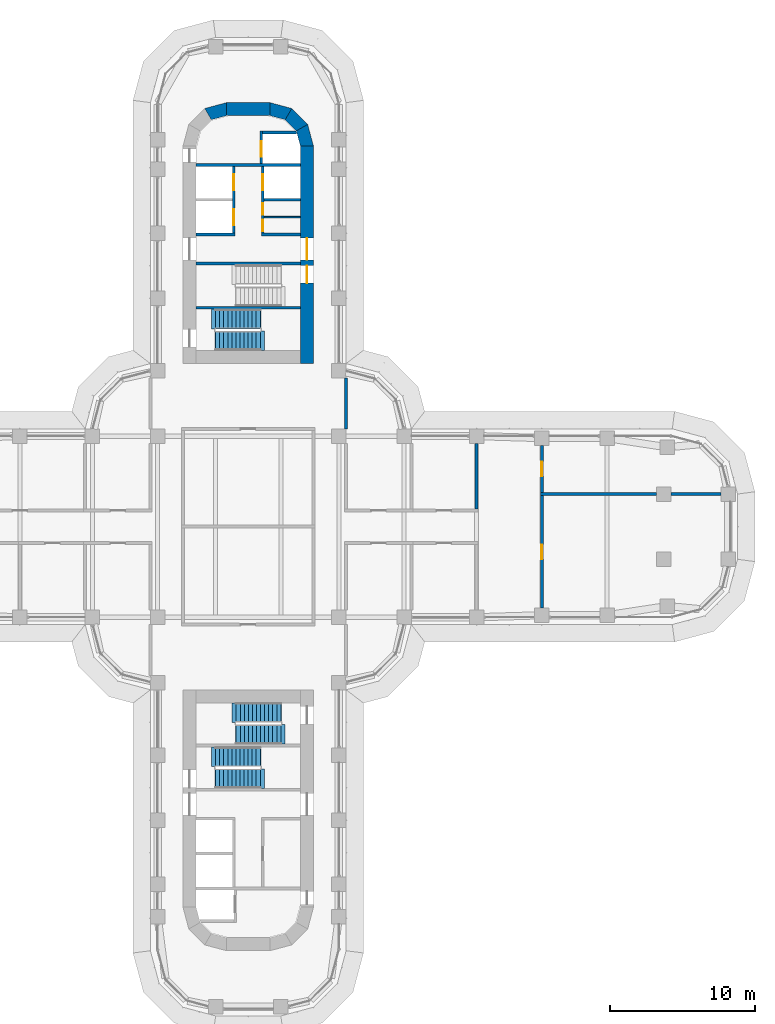
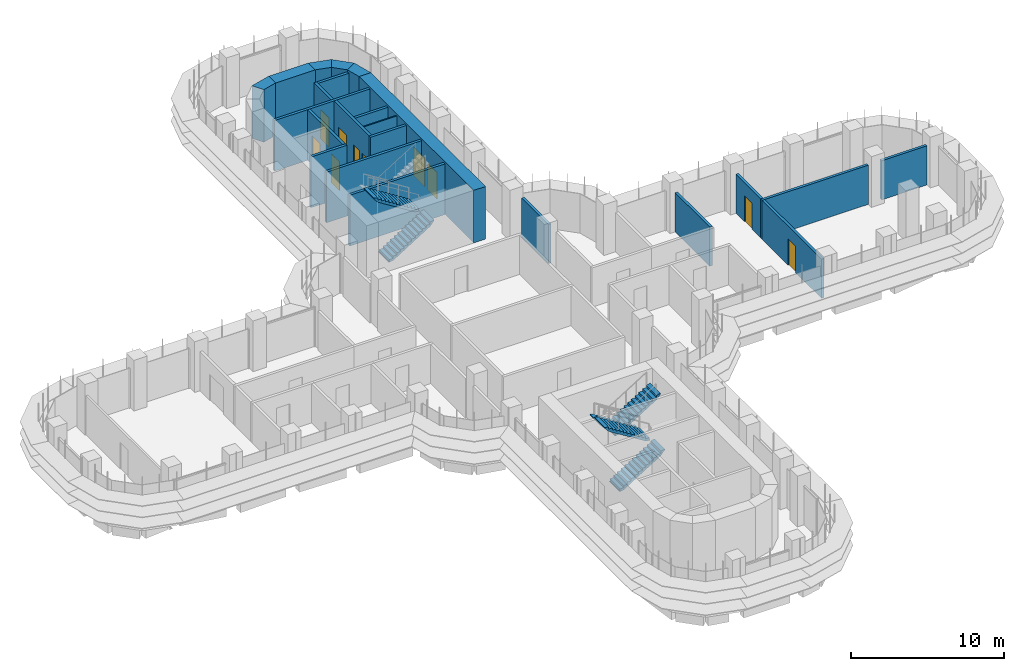
# One storey, part 18 of 23: 23 walls, 10 doors, 6 stair flights, 10 openings, 3 elements without a shape of their own.
"""IFC4 building model written with IfcOpenShell, lengths in metres."""

from ifc_helpers import new_model, si_unit, direction, frame, frame_2d, origin, place, context, subcontext, project, spatial, polyline, rectangle, outline, extrude, material, layer, layer_set, type_object, element, fill, aggregate, save


model = new_model("IFC4")

# Units and contexts
model_context = context("Model", 3, precision=1e-05, world=origin(), true_north=direction((0.0, 1.0)))
body_context = subcontext(model_context, "Body", "Model", "MODEL_VIEW")
ifc_project = project(units=[si_unit("LENGTHUNIT", "METRE"), si_unit("AREAUNIT", "SQUARE_METRE"), si_unit("VOLUMEUNIT", "CUBIC_METRE"), si_unit("PLANEANGLEUNIT", "RADIAN"), si_unit("MASSUNIT", "GRAM", prefix="KILO")], contexts=[model_context])

# Site, building, storey
site_placement = place(None, origin())
site = spatial("IfcSite", under=ifc_project, at=site_placement, CompositionType="ELEMENT")
building_placement = place(site_placement, origin())
building = spatial("IfcBuilding", under=site, at=building_placement, Name="Zarbagh Exchange Tower", CompositionType="ELEMENT")
storey_placement = place(building_placement, frame((0.0, 0.0, 52.199951171875)))
storey = spatial("IfcBuildingStorey", under=building, at=storey_placement, Name="L11", CompositionType="ELEMENT", Elevation=52.199951171875)

# Walls
ifc_material_1 = material(Name="Dense blockwork", Category="masonry")
ifc_layer_1 = layer(ifc_material_1, 0.10009765625)
ifc_layer_set_1 = layer_set([ifc_layer_1], Name="Core partition 100 mm blockwork")
wall_type_1 = type_object("IfcWallType", Name="Core partition 100 mm blockwork", PredefinedType="PARTITIONING", material=ifc_layer_set_1)
wall_1_placement = place(storey_placement, frame((1.10009765625, 21.35009765625, 0.0), z_axis=(0.0, 0.0, 1.0), x_axis=(1.0, 0.0, 0.0)))
element("IfcWall", 1, at=wall_1_placement, inside=storey, type_object=wall_type_1, Name="North core partition wall CUT-E-700", PredefinedType="PARTITIONING", context=body_context, shape_type="SweptSolid", body=[
    extrude(rectangle(XDim=2.5, YDim=0.10009765625, at=frame_2d((1.25, 0.0))), origin(), (0.0, 0.0, 1.0), 4.050048828125),
])
ifc_material_2 = material(Name="Fire-rated plasterboard partition")
ifc_layer_2 = layer(ifc_material_2, 0.199951171875)
ifc_layer_set_2 = layer_set([ifc_layer_2], Name="RATED PARTITION 200")
wall_type_2 = type_object("IfcWallType", Name="RATED PARTITION 200", PredefinedType="PARTITIONING", material=ifc_layer_set_2)
wall_2_placement = place(storey_placement, frame((6.75, 6.75, 0.0), z_axis=(0.0, 0.0, 1.0), x_axis=(0.0, 1.0, 0.0)))
element("IfcWall", 2, at=wall_2_placement, inside=storey, type_object=wall_type_2, Name="Partition W-310", PredefinedType="PARTITIONING", context=body_context, shape_type="SweptSolid", body=[
    extrude(rectangle(XDim=3.5, YDim=0.199951171875, at=frame_2d((1.75, 0.0))), origin(), (0.0, 0.0, 1.0), 3.130615234375),
])
wall_3_placement = place(storey_placement, frame((15.75, 1.22509765625, 0.0), z_axis=(0.0, 0.0, 1.0), x_axis=(0.0, 1.0, 0.0)))
element("IfcWall", 3, at=wall_3_placement, inside=storey, type_object=wall_type_2, Name="Partition W-322", PredefinedType="PARTITIONING", context=body_context, shape_type="SweptSolid", body=[
    extrude(rectangle(XDim=4.52490234375, YDim=0.199951171875, at=frame_2d((2.262451171875, 0.0))), origin(), (0.0, 0.0, 1.0), 3.130615234375),
])

# Wall, opening, door
wall_4_placement = place(storey_placement, frame((20.25, 2.14990234375, 0.0), z_axis=(0.0, 0.0, 1.0), x_axis=(0.0, -1.0, 0.0)))
wall_4 = element("IfcWall", 4, at=wall_4_placement, inside=storey, type_object=wall_type_2, Name="Partition W-324", PredefinedType="PARTITIONING", context=body_context, shape_type="SweptSolid", body=[
    extrude(rectangle(XDim=7.760009765625, YDim=0.199951171875, at=frame_2d((3.8798828125, 0.0))), origin(), (0.0, 0.0, 1.0), 3.130615234375),
])
opening_1_placement = place(wall_4_placement, frame((3.3798828125, 0.0, 0.0)))
opening_1 = element("IfcOpeningElement", 5, at=opening_1_placement, cuts=wall_4, Name="Opening D-307", PredefinedType="OPENING", context=body_context, shape_type="SweptSolid", body=[
    extrude(rectangle(XDim=1.0, YDim=2.10009765625, at=frame_2d((0.5, 1.050048828125))), frame((0.0, 0.10986328125, 0.0), z_axis=(0.0, -1.0, 0.0), x_axis=(1.0, 0.0, 0.0)), (0.0, 0.0, 1.0), 0.219970703125),
])
ifc_material_3 = material(Name="Steel door set", Category="steel")
door_type_1 = type_object("IfcDoorType", Name="FIRE DOOR 1000 X 2100 FD30S", OperationType="NOTDEFINED", PredefinedType="DOOR", material=ifc_material_3)
door_1_placement = place(opening_1_placement, origin())
door_1 = element("IfcDoor", 6, at=door_1_placement, inside=storey, type_object=door_type_1, Name="Door D-307", OperationType="SINGLE_SWING_RIGHT", OverallHeight=2.10009765625, OverallWidth=1.0, PredefinedType="DOOR", context=body_context, shape_type="SweptSolid", body=[
    extrude(rectangle(XDim=1.0, YDim=2.10009765625, at=frame_2d((0.5, 1.050048828125))), frame((0.0, 0.02490234375, 0.0), z_axis=(0.0, -1.0, 0.0), x_axis=(1.0, 0.0, 0.0)), (0.0, 0.0, 1.0), 0.050048828125),
])
fill(opening_1, door_1)

wall_5_placement = place(storey_placement, frame((20.25, 5.610107421875, 0.0), z_axis=(0.0, 0.0, 1.0), x_axis=(0.0, -1.0, 0.0)))
wall_5 = element("IfcWall", 7, at=wall_5_placement, inside=storey, type_object=wall_type_2, Name="Partition W-325", PredefinedType="PARTITIONING", context=body_context, shape_type="SweptSolid", body=[
    extrude(rectangle(XDim=3.260009765625, YDim=0.199951171875, at=frame_2d((1.6298828125, 0.0))), origin(), (0.0, 0.0, 1.0), 3.130615234375),
])
opening_2_placement = place(wall_5_placement, frame((1.1298828125, 0.0, 0.0)))
opening_2 = element("IfcOpeningElement", 8, at=opening_2_placement, cuts=wall_5, Name="Opening D-308", PredefinedType="OPENING", context=body_context, shape_type="SweptSolid", body=[
    extrude(rectangle(XDim=1.0, YDim=2.10009765625, at=frame_2d((0.5, 1.050048828125))), frame((0.0, 0.10986328125, 0.0), z_axis=(0.0, -1.0, 0.0), x_axis=(1.0, 0.0, 0.0)), (0.0, 0.0, 1.0), 0.219970703125),
])
door_2_placement = place(opening_2_placement, origin())
door_2 = element("IfcDoor", 9, at=door_2_placement, inside=storey, type_object=door_type_1, Name="Door D-308", OperationType="SINGLE_SWING_LEFT", OverallHeight=2.10009765625, OverallWidth=1.0, PredefinedType="DOOR", context=body_context, shape_type="SweptSolid", body=[
    extrude(rectangle(XDim=1.0, YDim=2.10009765625, at=frame_2d((0.5, 1.050048828125))), frame((0.0, 0.02490234375, 0.0), z_axis=(0.0, -1.0, 0.0), x_axis=(1.0, 0.0, 0.0)), (0.0, 0.0, 1.0), 0.050048828125),
])
fill(opening_2, door_2)

# Walls
wall_6_placement = place(storey_placement, frame((20.14990234375, 2.25, 0.0), z_axis=(0.0, 0.0, 1.0), x_axis=(1.0, 0.0, 0.0)))
element("IfcWall", 10, at=wall_6_placement, inside=storey, type_object=wall_type_2, Name="Partition W-326", PredefinedType="PARTITIONING", context=body_context, shape_type="SweptSolid", body=[
    extrude(rectangle(XDim=8.02001953125, YDim=0.199951171875, at=frame_2d((4.010009765625, 0.0))), origin(), (0.0, 0.0, 1.0), 3.130615234375),
])
wall_7_placement = place(storey_placement, frame((29.169921875, 2.25, 0.0), z_axis=(0.0, 0.0, 1.0), x_axis=(1.0, 0.0, 0.0)))
element("IfcWall", 11, at=wall_7_placement, inside=storey, type_object=wall_type_2, Name="Partition W-327", PredefinedType="PARTITIONING", context=body_context, shape_type="SweptSolid", body=[
    extrude(rectangle(XDim=3.440185546875, YDim=0.199951171875, at=frame_2d((1.72021484375, 0.0))), origin(), (0.0, 0.0, 1.0), 3.130615234375),
])
ifc_material_4 = material(Name="Concrete C60/75", Category="concrete")
ifc_layer_3 = layer(ifc_material_4, 0.89990234375)
ifc_layer_set_3 = layer_set([ifc_layer_3], Name="RC core corner wall 900 C60/75")
wall_type_3 = type_object("IfcWallType", Name="RC core corner wall 900 C60/75", PredefinedType="SHEAR", material=ifc_layer_set_3)
wall_8_placement = place(storey_placement, origin())
element("IfcWall", 12, at=wall_8_placement, inside=storey, type_object=wall_type_3, Name="CW2 core N corner W", PredefinedType="SHEAR", context=body_context, shape_type="SweptSolid", body=[
    extrude(outline(polyline([(-3.0, 28.84814453125), (-1.5, 29.25), (-1.5, 28.35009765625), (-2.550048828125, 28.068603515625), (-3.0, 28.84814453125)])), origin(), (0.0, 0.0, 1.0), 4.199951171875),
])
wall_9_placement = place(storey_placement, origin())
element("IfcWall", 13, at=wall_9_placement, inside=storey, type_object=wall_type_3, Name="CW2 core N corner E", PredefinedType="SHEAR", context=body_context, shape_type="SweptSolid", body=[
    extrude(outline(polyline([(4.5, 26.25), (4.09814453125, 27.75), (3.318603515625, 27.300048828125), (3.60009765625, 26.25), (4.5, 26.25)])), origin(), (0.0, 0.0, 1.0), 4.199951171875),
])
wall_10_placement = place(storey_placement, origin())
element("IfcWall", 14, at=wall_10_placement, inside=storey, type_object=wall_type_3, Name="CW2 core N corner E", PredefinedType="SHEAR", context=body_context, shape_type="SweptSolid", body=[
    extrude(outline(polyline([(4.09814453125, 27.75), (3.0, 28.84814453125), (2.550048828125, 28.068603515625), (3.318603515625, 27.300048828125), (4.09814453125, 27.75)])), origin(), (0.0, 0.0, 1.0), 4.199951171875),
])
wall_11_placement = place(storey_placement, origin())
element("IfcWall", 15, at=wall_11_placement, inside=storey, type_object=wall_type_3, Name="CW2 core N corner E", PredefinedType="SHEAR", context=body_context, shape_type="SweptSolid", body=[
    extrude(outline(polyline([(3.0, 28.84814453125), (1.5, 29.25), (1.5, 28.35009765625), (2.550048828125, 28.068603515625), (3.0, 28.84814453125)])), origin(), (0.0, 0.0, 1.0), 4.199951171875),
])

# Wall, openings, doors
ifc_layer_4 = layer(ifc_material_4, 0.89990234375)
ifc_layer_set_4 = layer_set([ifc_layer_4], Name="RC core wall 900 C60/75")
wall_type_4 = type_object("IfcWallType", Name="RC core wall 900 C60/75", PredefinedType="SHEAR", material=ifc_layer_set_4)
wall_12_placement = place(storey_placement, frame((4.050048828125, 11.25, 0.0), z_axis=(0.0, 0.0, 1.0), x_axis=(0.0, 1.0, 0.0)))
wall_12 = element("IfcWall", 16, at=wall_12_placement, inside=storey, type_object=wall_type_4, Name="CW1 core N E", PredefinedType="SHEAR", context=body_context, shape_type="SweptSolid", body=[
    extrude(rectangle(XDim=15.0, YDim=0.89990234375, at=frame_2d((7.5, 0.0))), origin(), (0.0, 0.0, 1.0), 4.199951171875),
])
opening_3_placement = place(wall_12_placement, frame((7.14990234375, 0.0, 0.0)))
opening_3 = element("IfcOpeningElement", 17, at=opening_3_placement, cuts=wall_12, Name="Opening CD1-1500", PredefinedType="OPENING", context=body_context, shape_type="SweptSolid", body=[
    extrude(rectangle(XDim=1.5, YDim=2.300048828125, at=frame_2d((0.75, 1.14990234375))), frame((0.0, 0.4599609375, 0.0), z_axis=(0.0, -1.0, 0.0), x_axis=(1.0, 0.0, 0.0)), (0.0, 0.0, 1.0), 0.919921875),
])
opening_4_placement = place(wall_12_placement, frame((5.550048828125, 0.0, 0.0)))
opening_4 = element("IfcOpeningElement", 18, at=opening_4_placement, cuts=wall_12, Name="Opening SD1-1200", PredefinedType="OPENING", context=body_context, shape_type="SweptSolid", body=[
    extrude(rectangle(XDim=1.199951171875, YDim=2.10009765625, at=frame_2d((0.60009765625, 1.050048828125))), frame((0.0, 0.4599609375, 0.0), z_axis=(0.0, -1.0, 0.0), x_axis=(1.0, 0.0, 0.0)), (0.0, 0.0, 1.0), 0.919921875),
])
ifc_material_5 = material(Name="Steel", Category="steel")
door_type_2 = type_object("IfcDoorType", Name="Exit stair door 1200 x 2100", OperationType="NOTDEFINED", PredefinedType="DOOR", material=ifc_material_5)
door_3_placement = place(opening_4_placement, origin())
door_3 = element("IfcDoor", 19, at=door_3_placement, inside=storey, type_object=door_type_2, Name="North core stair door ST1", OperationType="SINGLE_SWING_RIGHT", OverallHeight=2.10009765625, OverallWidth=1.199951171875, PredefinedType="DOOR", context=body_context, shape_type="SweptSolid", body=[
    extrude(rectangle(XDim=1.199951171875, YDim=2.10009765625, at=frame_2d((0.60009765625, 1.050048828125))), frame((0.0, 0.02490234375, 0.0), z_axis=(0.0, -1.0, 0.0), x_axis=(1.0, 0.0, 0.0)), (0.0, 0.0, 1.0), 0.050048828125),
])
fill(opening_4, door_3)
door_type_3 = type_object("IfcDoorType", Name="Lift lobby double door 1500 x 2300", OperationType="NOTDEFINED", PredefinedType="DOOR", material=ifc_material_5)
door_4_placement = place(opening_3_placement, origin())
door_4 = element("IfcDoor", 20, at=door_4_placement, inside=storey, type_object=door_type_3, Name="North core lift lobby door LOBBY-E", OperationType="DOUBLE_DOOR_SINGLE_SWING", OverallHeight=2.300048828125, OverallWidth=1.5, PredefinedType="DOOR", context=body_context, shape_type="SweptSolid", body=[
    extrude(rectangle(XDim=1.5, YDim=2.300048828125, at=frame_2d((0.75, 1.14990234375))), frame((0.0, 0.02490234375, 0.0), z_axis=(0.0, -1.0, 0.0), x_axis=(1.0, 0.0, 0.0)), (0.0, 0.0, 1.0), 0.050048828125),
])
fill(opening_3, door_4)

# Walls
wall_13_placement = place(storey_placement, frame((-1.5, 28.800048828125, 0.0), z_axis=(0.0, 0.0, 1.0), x_axis=(1.0, 0.0, 0.0)))
element("IfcWall", 21, at=wall_13_placement, inside=storey, type_object=wall_type_4, Name="CW1 core N outer end", PredefinedType="SHEAR", context=body_context, shape_type="SweptSolid", body=[
    extrude(rectangle(XDim=3.0, YDim=0.89990234375, at=frame_2d((1.5, 0.0))), origin(), (0.0, 0.0, 1.0), 4.199951171875),
])
ifc_layer_5 = layer(ifc_material_1, 0.199951171875)
ifc_layer_set_5 = layer_set([ifc_layer_5], Name="Shaft wall 200 mm blockwork")
wall_type_5 = type_object("IfcWallType", Name="Shaft wall 200 mm blockwork", PredefinedType="PARTITIONING", material=ifc_layer_set_5)
wall_14_placement = place(storey_placement, frame((-3.60009765625, 20.14990234375, 0.0), z_axis=(0.0, 0.0, 1.0), x_axis=(1.0, 0.0, 0.0)))
element("IfcWall", 22, at=wall_14_placement, inside=storey, type_object=wall_type_5, Name="North core shaft wall AB-W", PredefinedType="PARTITIONING", context=body_context, shape_type="SweptSolid", body=[
    extrude(rectangle(XDim=2.7001953125, YDim=0.199951171875, at=frame_2d((1.35009765625, 0.0))), origin(), (0.0, 0.0, 1.0), 4.050048828125),
])

# Wall, openings, doors
wall_15_placement = place(storey_placement, frame((-1.0, 24.85009765625, 0.0), z_axis=(0.0, 0.0, 1.0), x_axis=(0.0, -1.0, 0.0)))
wall_15 = element("IfcWall", 23, at=wall_15_placement, inside=storey, type_object=wall_type_5, Name="North core shaft wall LW-W", PredefinedType="PARTITIONING", context=body_context, shape_type="SweptSolid", body=[
    extrude(rectangle(XDim=4.60009765625, YDim=0.199951171875, at=frame_2d((2.300048828125, 0.0))), origin(), (0.0, 0.0, 1.0), 4.050048828125),
])
opening_5_placement = place(wall_15_placement, frame((0.550048828125, 0.0, 0.0)))
opening_5 = element("IfcOpeningElement", 24, at=opening_5_placement, cuts=wall_15, Name="Opening LD-1100", PredefinedType="OPENING", context=body_context, shape_type="SweptSolid", body=[
    extrude(rectangle(XDim=1.10009765625, YDim=2.300048828125, at=frame_2d((0.550048828125, 1.14990234375))), frame((0.0, 0.10986328125, 0.0), z_axis=(0.0, -1.0, 0.0), x_axis=(1.0, 0.0, 0.0)), (0.0, 0.0, 1.0), 0.219970703125),
])
opening_6_placement = place(wall_15_placement, frame((2.949951171875, 0.0, 0.0)))
opening_6 = element("IfcOpeningElement", 25, at=opening_6_placement, cuts=wall_15, Name="Opening LD-1100", PredefinedType="OPENING", context=body_context, shape_type="SweptSolid", body=[
    extrude(rectangle(XDim=1.10009765625, YDim=2.300048828125, at=frame_2d((0.550048828125, 1.14990234375))), frame((0.0, 0.10986328125, 0.0), z_axis=(0.0, -1.0, 0.0), x_axis=(1.0, 0.0, 0.0)), (0.0, 0.0, 1.0), 0.219970703125),
])
ifc_material_6 = material(Name="Stainless steel", Category="steel")
door_type_4 = type_object("IfcDoorType", Name="Lift landing door 1100 x 2300", OperationType="NOTDEFINED", PredefinedType="DOOR", material=ifc_material_6)
door_5_placement = place(opening_5_placement, origin())
door_5 = element("IfcDoor", 26, at=door_5_placement, inside=storey, type_object=door_type_4, Name="North core lift landing door LD-P-N1", OperationType="DOUBLE_DOOR_SLIDING", OverallHeight=2.300048828125, OverallWidth=1.10009765625, PredefinedType="DOOR", context=body_context, shape_type="SweptSolid", body=[
    extrude(rectangle(XDim=1.10009765625, YDim=2.300048828125, at=frame_2d((0.550048828125, 1.14990234375))), frame((0.0, 0.02490234375, 0.0), z_axis=(0.0, -1.0, 0.0), x_axis=(1.0, 0.0, 0.0)), (0.0, 0.0, 1.0), 0.050048828125),
])
fill(opening_5, door_5)
door_6_placement = place(opening_6_placement, origin())
door_6 = element("IfcDoor", 27, at=door_6_placement, inside=storey, type_object=door_type_4, Name="North core lift landing door LD-P-N2", OperationType="DOUBLE_DOOR_SLIDING", OverallHeight=2.300048828125, OverallWidth=1.10009765625, PredefinedType="DOOR", context=body_context, shape_type="SweptSolid", body=[
    extrude(rectangle(XDim=1.10009765625, YDim=2.300048828125, at=frame_2d((0.550048828125, 1.14990234375))), frame((0.0, 0.02490234375, 0.0), z_axis=(0.0, -1.0, 0.0), x_axis=(1.0, 0.0, 0.0)), (0.0, 0.0, 1.0), 0.050048828125),
])
fill(opening_6, door_6)

# Wall
wall_16_placement = place(storey_placement, frame((0.89990234375, 20.14990234375, 0.0), z_axis=(0.0, 0.0, 1.0), x_axis=(1.0, 0.0, 0.0)))
element("IfcWall", 28, at=wall_16_placement, inside=storey, type_object=wall_type_5, Name="North core shaft wall AB-E", PredefinedType="PARTITIONING", context=body_context, shape_type="SweptSolid", body=[
    extrude(rectangle(XDim=2.7001953125, YDim=0.199951171875, at=frame_2d((1.35009765625, 0.0))), origin(), (0.0, 0.0, 1.0), 4.050048828125),
])

# Wall, openings, doors
wall_17_placement = place(storey_placement, frame((1.0, 24.85009765625, 0.0), z_axis=(0.0, 0.0, 1.0), x_axis=(0.0, -1.0, 0.0)))
wall_17 = element("IfcWall", 29, at=wall_17_placement, inside=storey, type_object=wall_type_5, Name="North core shaft wall LW-E", PredefinedType="PARTITIONING", context=body_context, shape_type="SweptSolid", body=[
    extrude(rectangle(XDim=4.60009765625, YDim=0.199951171875, at=frame_2d((2.300048828125, 0.0))), origin(), (0.0, 0.0, 1.0), 4.050048828125),
])
opening_7_placement = place(wall_17_placement, frame((0.550048828125, 0.0, 0.0)))
opening_7 = element("IfcOpeningElement", 30, at=opening_7_placement, cuts=wall_17, Name="Opening LD-1100", PredefinedType="OPENING", context=body_context, shape_type="SweptSolid", body=[
    extrude(rectangle(XDim=1.10009765625, YDim=2.300048828125, at=frame_2d((0.550048828125, 1.14990234375))), frame((0.0, 0.10986328125, 0.0), z_axis=(0.0, -1.0, 0.0), x_axis=(1.0, 0.0, 0.0)), (0.0, 0.0, 1.0), 0.219970703125),
])
opening_8_placement = place(wall_17_placement, frame((2.52490234375, 0.0, 0.0)))
opening_8 = element("IfcOpeningElement", 31, at=opening_8_placement, cuts=wall_17, Name="Opening CD3-800", PredefinedType="OPENING", context=body_context, shape_type="SweptSolid", body=[
    extrude(rectangle(XDim=0.800048828125, YDim=2.10009765625, at=frame_2d((0.39990234375, 1.050048828125))), frame((0.0, 0.10986328125, 0.0), z_axis=(0.0, -1.0, 0.0), x_axis=(1.0, 0.0, 0.0)), (0.0, 0.0, 1.0), 0.219970703125),
])
opening_9_placement = place(wall_17_placement, frame((3.675048828125, 0.0, 0.0)))
opening_9 = element("IfcOpeningElement", 32, at=opening_9_placement, cuts=wall_17, Name="Opening CD3-800", PredefinedType="OPENING", context=body_context, shape_type="SweptSolid", body=[
    extrude(rectangle(XDim=0.800048828125, YDim=2.10009765625, at=frame_2d((0.39990234375, 1.050048828125))), frame((0.0, 0.10986328125, 0.0), z_axis=(0.0, -1.0, 0.0), x_axis=(1.0, 0.0, 0.0)), (0.0, 0.0, 1.0), 0.219970703125),
])
door_type_5 = type_object("IfcDoorType", Name="Core room door 800 x 2100", OperationType="NOTDEFINED", PredefinedType="DOOR", material=ifc_material_5)
door_7_placement = place(opening_8_placement, origin())
door_7 = element("IfcDoor", 33, at=door_7_placement, inside=storey, type_object=door_type_5, Name="North core Store door RD-E-0", OperationType="SINGLE_SWING_LEFT", OverallHeight=2.10009765625, OverallWidth=0.800048828125, PredefinedType="DOOR", context=body_context, shape_type="SweptSolid", body=[
    extrude(rectangle(XDim=0.800048828125, YDim=2.10009765625, at=frame_2d((0.39990234375, 1.050048828125))), frame((0.0, 0.02490234375, 0.0), z_axis=(0.0, -1.0, 0.0), x_axis=(1.0, 0.0, 0.0)), (0.0, 0.0, 1.0), 0.050048828125),
])
fill(opening_8, door_7)
door_8_placement = place(opening_9_placement, origin())
door_8 = element("IfcDoor", 34, at=door_8_placement, inside=storey, type_object=door_type_5, Name="North core IT room door RD-E-1", OperationType="SINGLE_SWING_LEFT", OverallHeight=2.10009765625, OverallWidth=0.800048828125, PredefinedType="DOOR", context=body_context, shape_type="SweptSolid", body=[
    extrude(rectangle(XDim=0.800048828125, YDim=2.10009765625, at=frame_2d((0.39990234375, 1.050048828125))), frame((0.0, 0.02490234375, 0.0), z_axis=(0.0, -1.0, 0.0), x_axis=(1.0, 0.0, 0.0)), (0.0, 0.0, 1.0), 0.050048828125),
])
fill(opening_9, door_8)
door_9_placement = place(opening_7_placement, origin())
door_9 = element("IfcDoor", 35, at=door_9_placement, inside=storey, type_object=door_type_4, Name="North core lift landing door LD-P-N3", OperationType="DOUBLE_DOOR_SLIDING", OverallHeight=2.300048828125, OverallWidth=1.10009765625, PredefinedType="DOOR", context=body_context, shape_type="SweptSolid", body=[
    extrude(rectangle(XDim=1.10009765625, YDim=2.300048828125, at=frame_2d((0.550048828125, 1.14990234375))), frame((0.0, 0.02490234375, 0.0), z_axis=(0.0, -1.0, 0.0), x_axis=(1.0, 0.0, 0.0)), (0.0, 0.0, 1.0), 0.050048828125),
])
fill(opening_7, door_9)

# Walls
wall_18_placement = place(storey_placement, frame((1.10009765625, 22.550048828125, 0.0), z_axis=(0.0, 0.0, 1.0), x_axis=(1.0, 0.0, 0.0)))
element("IfcWall", 36, at=wall_18_placement, inside=storey, type_object=wall_type_5, Name="North core shaft wall TR-E", PredefinedType="PARTITIONING", context=body_context, shape_type="SweptSolid", body=[
    extrude(rectangle(XDim=2.5, YDim=0.199951171875, at=frame_2d((1.25, 0.0))), origin(), (0.0, 0.0, 1.0), 4.050048828125),
])
ifc_material_7 = material(Name="Concrete C40/50", Category="concrete")
ifc_layer_6 = layer(ifc_material_7, 0.199951171875)
ifc_layer_set_6 = layer_set([ifc_layer_6], Name="Stair enclosure wall 200 mm RC C40/50")
wall_type_6 = type_object("IfcWallType", Name="Stair enclosure wall 200 mm RC C40/50", PredefinedType="SHEAR", material=ifc_layer_set_6)
wall_19_placement = place(storey_placement, frame((-3.60009765625, 24.949951171875, 0.0), z_axis=(0.0, 0.0, 1.0), x_axis=(1.0, 0.0, 0.0)))
element("IfcWall", 37, at=wall_19_placement, inside=storey, type_object=wall_type_6, Name="North core lift shaft wall FFA", PredefinedType="SHEAR", context=body_context, shape_type="SweptSolid", body=[
    extrude(rectangle(XDim=7.2001953125, YDim=0.199951171875, at=frame_2d((3.60009765625, 0.0))), origin(), (0.0, 0.0, 1.0), 4.050048828125),
])

# Wall, opening, door
wall_20_placement = place(storey_placement, frame((0.89990234375, 27.300048828125, 0.0), z_axis=(0.0, 0.0, 1.0), x_axis=(0.0, -1.0, 0.0)))
wall_20 = element("IfcWall", 38, at=wall_20_placement, inside=storey, type_object=wall_type_6, Name="North core lift shaft wall FFL", PredefinedType="SHEAR", context=body_context, shape_type="SweptSolid", body=[
    extrude(rectangle(XDim=2.25, YDim=0.199951171875, at=frame_2d((1.125, 0.0))), origin(), (0.0, 0.0, 1.0), 4.050048828125),
])
opening_10_placement = place(wall_20_placement, frame((0.699951171875, 0.0, 0.0)))
opening_10 = element("IfcOpeningElement", 39, at=opening_10_placement, cuts=wall_20, Name="Opening LD-1100", PredefinedType="OPENING", context=body_context, shape_type="SweptSolid", body=[
    extrude(rectangle(XDim=1.10009765625, YDim=2.300048828125, at=frame_2d((0.550048828125, 1.14990234375))), frame((0.0, 0.10986328125, 0.0), z_axis=(0.0, -1.0, 0.0), x_axis=(1.0, 0.0, 0.0)), (0.0, 0.0, 1.0), 0.219970703125),
])
door_10_placement = place(opening_10_placement, origin())
door_10 = element("IfcDoor", 40, at=door_10_placement, inside=storey, type_object=door_type_4, Name="North core lift landing door LD-F", OperationType="DOUBLE_DOOR_SLIDING", OverallHeight=2.300048828125, OverallWidth=1.10009765625, PredefinedType="DOOR", context=body_context, shape_type="SweptSolid", body=[
    extrude(rectangle(XDim=1.10009765625, YDim=2.300048828125, at=frame_2d((0.550048828125, 1.14990234375))), frame((0.0, 0.02490234375, 0.0), z_axis=(0.0, -1.0, 0.0), x_axis=(1.0, 0.0, 0.0)), (0.0, 0.0, 1.0), 0.050048828125),
])
fill(opening_10, door_10)

# Walls
wall_21_placement = place(storey_placement, origin())
element("IfcWall", 41, at=wall_21_placement, inside=storey, type_object=wall_type_6, Name="North core lift shaft wall FFX", PredefinedType="SHEAR", context=body_context, shape_type="SweptSolid", body=[
    extrude(outline(polyline([(1.0, 27.10009765625), (3.340576171875, 27.10009765625), (3.291259765625, 27.2841796875), (3.275390625, 27.300048828125), (1.0, 27.300048828125), (1.0, 27.10009765625)])), origin(), (0.0, 0.0, 1.0), 4.050048828125),
])
for number, where, z_axis, x_axis, name in (
    (42, (-3.60009765625, 18.14990234375, 0.0), (0.0, 0.0, 1.0), (1.0, 0.0, 0.0), "North core stair wall BS"),
    (43, (-3.60009765625, 15.10009765625, 0.0), (0.0, 0.0, 1.0), (1.0, 0.0, 0.0), "North core stair wall ST12"),
):
    element("IfcWall", number, at=place(storey_placement, frame(where, z_axis=z_axis, x_axis=x_axis)), inside=storey, type_object=wall_type_6, Name=name, PredefinedType="SHEAR", context=body_context, shape_type="SweptSolid", body=[
        extrude(rectangle(XDim=7.2001953125, YDim=0.199951171875, at=frame_2d((3.60009765625, 0.0))), origin(), (0.0, 0.0, 1.0), 4.050048828125),
    ])

# Stair, stair flights
stair_type = type_object("IfcStairType", Name="Exit stair two-flight half-turn", PredefinedType="HALF_TURN_STAIR", material=ifc_material_7)
stair_1_placement = place(storey_placement, origin())
stair_1 = element("IfcStair", 44, at=stair_1_placement, inside=storey, type_object=stair_type, Name="exit stair ST2", PredefinedType="HALF_TURN_STAIR")
stair_flight_type = type_object("IfcStairFlightType", Name="Stair flight 1350 mm", PredefinedType="STRAIGHT", material=ifc_material_7)
stair_flight_1_placement = place(storey_placement, frame((-2.25, 12.824951171875, 0.0), z_axis=(0.0, 0.0, 1.0), x_axis=(1.0, 0.0, 0.0)))
stair_flight_1 = element("IfcStairFlight", 45, at=stair_flight_1_placement, type_object=stair_flight_type, Name="ST2 flight 1", NumberOfRisers=12, NumberOfTreads=11, PredefinedType="STRAIGHT", RiserHeight=0.175, TreadLength=0.28, context=body_context, shape_type="SweptSolid", body=[
    extrude(outline(polyline([(-0.050048828125, -0.050048828125), (-0.050048828125, 0.0), (0.0, 0.0), (0.0, 0.175048828125), (0.280029296875, 0.175048828125), (0.280029296875, 0.35009765625), (0.56005859375, 0.35009765625), (0.56005859375, 0.52490234375), (0.840087890625, 0.52490234375), (0.840087890625, 0.699951171875), (1.1201171875, 0.699951171875), (1.1201171875, 0.875), (1.39990234375, 0.875), (1.39990234375, 1.050048828125), (1.679931640625, 1.050048828125), (1.679931640625, 1.22509765625), (1.9599609375, 1.22509765625), (1.9599609375, 1.39990234375), (2.239990234375, 1.39990234375), (2.239990234375, 1.574951171875), (2.52001953125, 1.574951171875), (2.52001953125, 1.75), (2.800048828125, 1.75), (2.800048828125, 1.925048828125), (3.080078125, 1.925048828125), (3.080078125, 2.10009765625), (3.3798828125, 2.179931640625), (3.3798828125, 2.10009765625), (3.080078125, 1.748291015625), (0.28271484375, 0.0), (-0.050048828125, -0.050048828125)])), frame((0.0, 0.675048828125, 0.0), z_axis=(0.0, -1.0, 0.0), x_axis=(1.0, 0.0, 0.0)), (0.0, 0.0, 1.0), 1.35009765625),
])
stair_flight_2_placement = place(storey_placement, frame((0.830078125, 14.324951171875, 2.10009765625), z_axis=(0.0, 0.0, 1.0), x_axis=(-1.0, 0.0, 0.0)))
stair_flight_2 = element("IfcStairFlight", 46, at=stair_flight_2_placement, type_object=stair_flight_type, Name="ST2 flight 2", NumberOfRisers=12, NumberOfTreads=11, PredefinedType="STRAIGHT", RiserHeight=0.175, TreadLength=0.28, context=body_context, shape_type="SweptSolid", body=[
    extrude(outline(polyline([(-0.050048828125, -0.050048828125), (-0.050048828125, 0.0), (0.0, 0.0), (0.0, 0.175048828125), (0.280029296875, 0.175048828125), (0.280029296875, 0.35009765625), (0.56005859375, 0.35009765625), (0.56005859375, 0.52490234375), (0.840087890625, 0.52490234375), (0.840087890625, 0.699951171875), (1.1201171875, 0.699951171875), (1.1201171875, 0.875), (1.39990234375, 0.875), (1.39990234375, 1.050048828125), (1.679931640625, 1.050048828125), (1.679931640625, 1.22509765625), (1.9599609375, 1.22509765625), (1.9599609375, 1.39990234375), (2.239990234375, 1.39990234375), (2.239990234375, 1.574951171875), (2.52001953125, 1.574951171875), (2.52001953125, 1.75), (2.800048828125, 1.75), (2.800048828125, 1.925048828125), (3.080078125, 1.925048828125), (3.080078125, 2.10009765625), (3.3798828125, 2.179931640625), (3.3798828125, 2.10009765625), (3.080078125, 1.748291015625), (0.28271484375, 0.0), (-0.050048828125, -0.050048828125)])), frame((0.0, 0.675048828125, 0.0), z_axis=(0.0, -1.0, 0.0), x_axis=(1.0, 0.0, 0.0)), (0.0, 0.0, 1.0), 1.35009765625),
])
aggregate(stair_1, [stair_flight_1, stair_flight_2])

stair_2_placement = place(storey_placement, origin())
stair_2 = element("IfcStair", 47, at=stair_2_placement, inside=storey, type_object=stair_type, Name="exit stair ST3", PredefinedType="HALF_TURN_STAIR")
stair_flight_3_placement = place(storey_placement, frame((-2.25, -17.375, 0.0), z_axis=(0.0, 0.0, 1.0), x_axis=(1.0, 0.0, 0.0)))
stair_flight_3 = element("IfcStairFlight", 48, at=stair_flight_3_placement, type_object=stair_flight_type, Name="ST3 flight 1", NumberOfRisers=12, NumberOfTreads=11, PredefinedType="STRAIGHT", RiserHeight=0.175, TreadLength=0.28, context=body_context, shape_type="SweptSolid", body=[
    extrude(outline(polyline([(-0.050048828125, -0.050048828125), (-0.050048828125, 0.0), (0.0, 0.0), (0.0, 0.175048828125), (0.280029296875, 0.175048828125), (0.280029296875, 0.35009765625), (0.56005859375, 0.35009765625), (0.56005859375, 0.52490234375), (0.840087890625, 0.52490234375), (0.840087890625, 0.699951171875), (1.1201171875, 0.699951171875), (1.1201171875, 0.875), (1.39990234375, 0.875), (1.39990234375, 1.050048828125), (1.679931640625, 1.050048828125), (1.679931640625, 1.22509765625), (1.9599609375, 1.22509765625), (1.9599609375, 1.39990234375), (2.239990234375, 1.39990234375), (2.239990234375, 1.574951171875), (2.52001953125, 1.574951171875), (2.52001953125, 1.75), (2.800048828125, 1.75), (2.800048828125, 1.925048828125), (3.080078125, 1.925048828125), (3.080078125, 2.10009765625), (3.3798828125, 2.179931640625), (3.3798828125, 2.10009765625), (3.080078125, 1.748291015625), (0.28271484375, 0.0), (-0.050048828125, -0.050048828125)])), frame((0.0, 0.675048828125, 0.0), z_axis=(0.0, -1.0, 0.0), x_axis=(1.0, 0.0, 0.0)), (0.0, 0.0, 1.0), 1.35009765625),
])
stair_flight_4_placement = place(storey_placement, frame((0.830078125, -15.875, 2.10009765625), z_axis=(0.0, 0.0, 1.0), x_axis=(-1.0, 0.0, 0.0)))
stair_flight_4 = element("IfcStairFlight", 49, at=stair_flight_4_placement, type_object=stair_flight_type, Name="ST3 flight 2", NumberOfRisers=12, NumberOfTreads=11, PredefinedType="STRAIGHT", RiserHeight=0.175, TreadLength=0.28, context=body_context, shape_type="SweptSolid", body=[
    extrude(outline(polyline([(-0.050048828125, -0.050048828125), (-0.050048828125, 0.0), (0.0, 0.0), (0.0, 0.175048828125), (0.280029296875, 0.175048828125), (0.280029296875, 0.35009765625), (0.56005859375, 0.35009765625), (0.56005859375, 0.52490234375), (0.840087890625, 0.52490234375), (0.840087890625, 0.699951171875), (1.1201171875, 0.699951171875), (1.1201171875, 0.875), (1.39990234375, 0.875), (1.39990234375, 1.050048828125), (1.679931640625, 1.050048828125), (1.679931640625, 1.22509765625), (1.9599609375, 1.22509765625), (1.9599609375, 1.39990234375), (2.239990234375, 1.39990234375), (2.239990234375, 1.574951171875), (2.52001953125, 1.574951171875), (2.52001953125, 1.75), (2.800048828125, 1.75), (2.800048828125, 1.925048828125), (3.080078125, 1.925048828125), (3.080078125, 2.10009765625), (3.3798828125, 2.179931640625), (3.3798828125, 2.10009765625), (3.080078125, 1.748291015625), (0.28271484375, 0.0), (-0.050048828125, -0.050048828125)])), frame((0.0, 0.675048828125, 0.0), z_axis=(0.0, -1.0, 0.0), x_axis=(1.0, 0.0, 0.0)), (0.0, 0.0, 1.0), 1.35009765625),
])
aggregate(stair_2, [stair_flight_3, stair_flight_4])

stair_3_placement = place(storey_placement, origin())
stair_3 = element("IfcStair", 50, at=stair_3_placement, inside=storey, type_object=stair_type, Name="exit stair ST4", PredefinedType="HALF_TURN_STAIR")
stair_flight_5_placement = place(storey_placement, frame((2.25, -12.824951171875, 0.0), z_axis=(0.0, 0.0, 1.0), x_axis=(-1.0, 0.0, 0.0)))
stair_flight_5 = element("IfcStairFlight", 51, at=stair_flight_5_placement, type_object=stair_flight_type, Name="ST4 flight 1", NumberOfRisers=12, NumberOfTreads=11, PredefinedType="STRAIGHT", RiserHeight=0.175, TreadLength=0.28, context=body_context, shape_type="SweptSolid", body=[
    extrude(outline(polyline([(-0.050048828125, -0.050048828125), (-0.050048828125, 0.0), (0.0, 0.0), (0.0, 0.175048828125), (0.280029296875, 0.175048828125), (0.280029296875, 0.35009765625), (0.56005859375, 0.35009765625), (0.56005859375, 0.52490234375), (0.840087890625, 0.52490234375), (0.840087890625, 0.699951171875), (1.1201171875, 0.699951171875), (1.1201171875, 0.875), (1.39990234375, 0.875), (1.39990234375, 1.050048828125), (1.679931640625, 1.050048828125), (1.679931640625, 1.22509765625), (1.9599609375, 1.22509765625), (1.9599609375, 1.39990234375), (2.239990234375, 1.39990234375), (2.239990234375, 1.574951171875), (2.52001953125, 1.574951171875), (2.52001953125, 1.75), (2.800048828125, 1.75), (2.800048828125, 1.925048828125), (3.080078125, 1.925048828125), (3.080078125, 2.10009765625), (3.3798828125, 2.179931640625), (3.3798828125, 2.10009765625), (3.080078125, 1.748291015625), (0.28271484375, 0.0), (-0.050048828125, -0.050048828125)])), frame((0.0, 0.675048828125, 0.0), z_axis=(0.0, -1.0, 0.0), x_axis=(1.0, 0.0, 0.0)), (0.0, 0.0, 1.0), 1.35009765625),
])
stair_flight_6_placement = place(storey_placement, frame((-0.830078125, -14.324951171875, 2.10009765625), z_axis=(0.0, 0.0, 1.0), x_axis=(1.0, 0.0, 0.0)))
stair_flight_6 = element("IfcStairFlight", 52, at=stair_flight_6_placement, type_object=stair_flight_type, Name="ST4 flight 2", NumberOfRisers=12, NumberOfTreads=11, PredefinedType="STRAIGHT", RiserHeight=0.175, TreadLength=0.28, context=body_context, shape_type="SweptSolid", body=[
    extrude(outline(polyline([(-0.050048828125, -0.050048828125), (-0.050048828125, 0.0), (0.0, 0.0), (0.0, 0.175048828125), (0.280029296875, 0.175048828125), (0.280029296875, 0.35009765625), (0.56005859375, 0.35009765625), (0.56005859375, 0.52490234375), (0.840087890625, 0.52490234375), (0.840087890625, 0.699951171875), (1.1201171875, 0.699951171875), (1.1201171875, 0.875), (1.39990234375, 0.875), (1.39990234375, 1.050048828125), (1.679931640625, 1.050048828125), (1.679931640625, 1.22509765625), (1.9599609375, 1.22509765625), (1.9599609375, 1.39990234375), (2.239990234375, 1.39990234375), (2.239990234375, 1.574951171875), (2.52001953125, 1.574951171875), (2.52001953125, 1.75), (2.800048828125, 1.75), (2.800048828125, 1.925048828125), (3.080078125, 1.925048828125), (3.080078125, 2.10009765625), (3.3798828125, 2.179931640625), (3.3798828125, 2.10009765625), (3.080078125, 1.748291015625), (0.28271484375, 0.0), (-0.050048828125, -0.050048828125)])), frame((0.0, 0.675048828125, 0.0), z_axis=(0.0, -1.0, 0.0), x_axis=(1.0, 0.0, 0.0)), (0.0, 0.0, 1.0), 1.35009765625),
])
aggregate(stair_3, [stair_flight_5, stair_flight_6])

save(model, "model.ifc")
